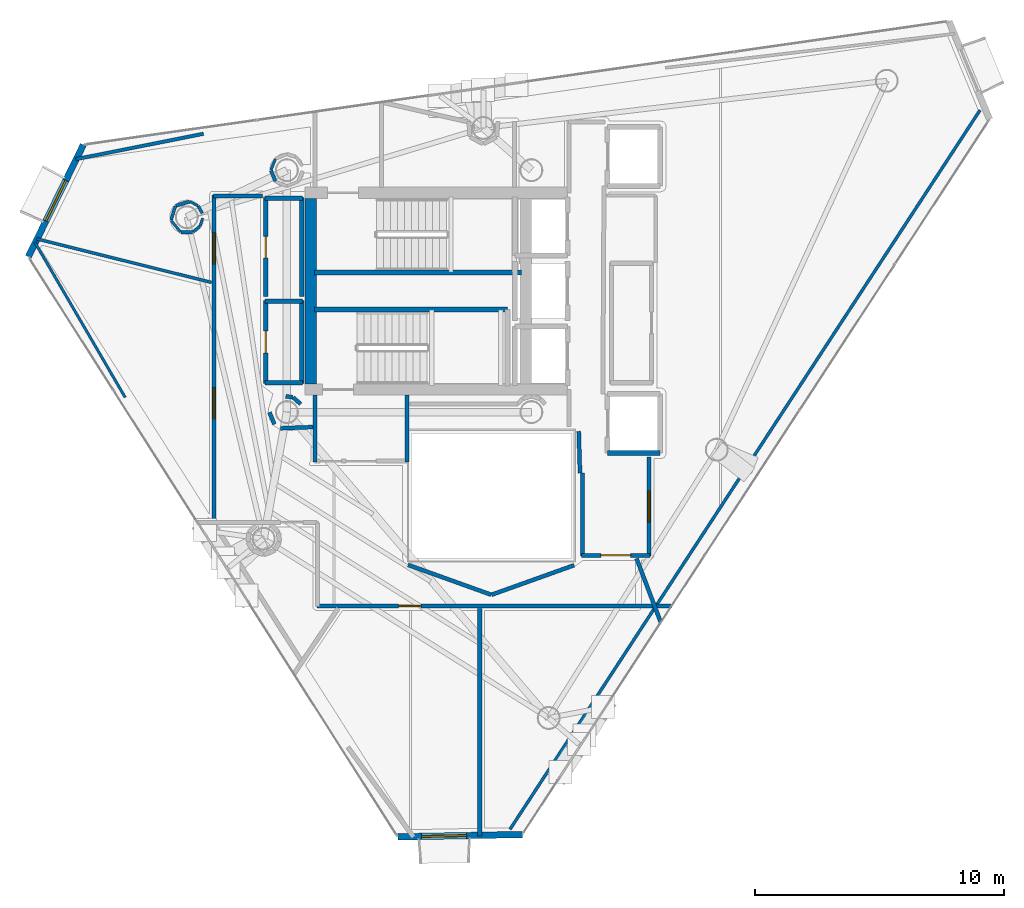
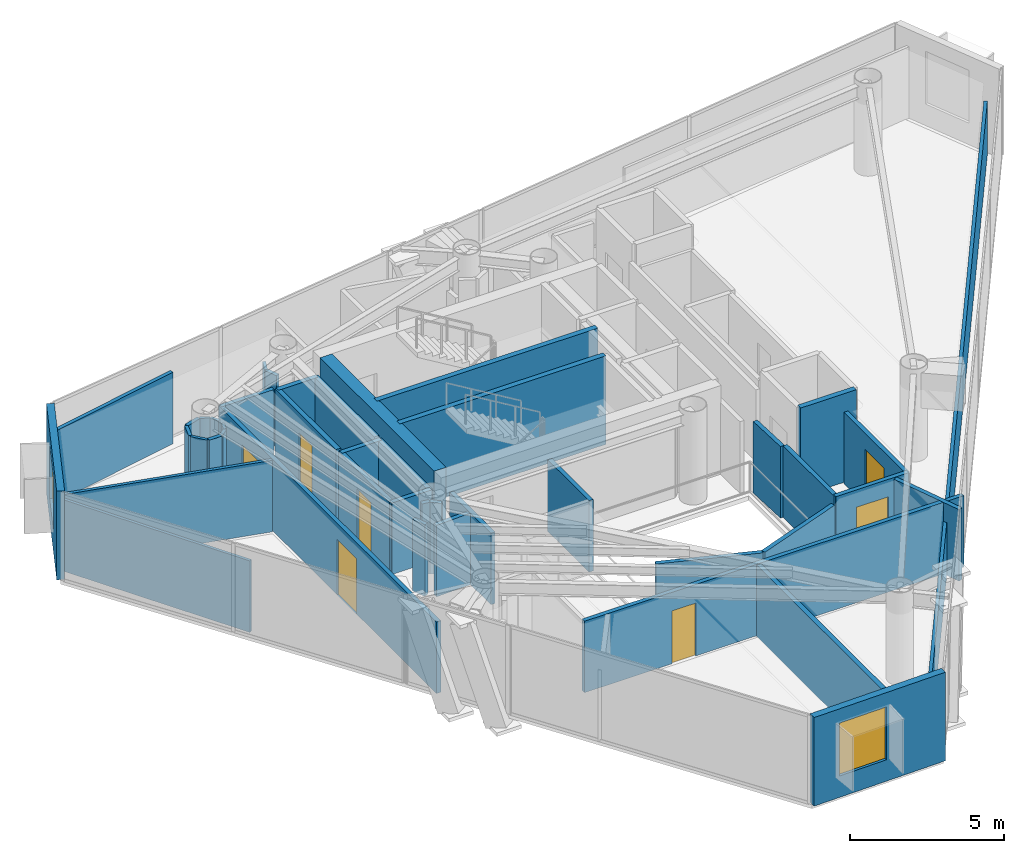
# One storey, part 20 of 25: 44 walls, 7 doors, 2 windows, 9 openings.
"""IFC4 building model written with IfcOpenShell, lengths in metres."""

from ifc_helpers import new_model, si_unit, direction, frame, frame_2d, origin, place, context, subcontext, project, spatial, rectangle, extrude, material, layer, layer_set, type_object, element, fill, save


model = new_model("IFC4")

# Units and contexts
model_context = context("Model", 3, precision=1e-05, world=origin(), true_north=direction((0.0, 1.0)))
body_context = subcontext(model_context, "Body", "Model", "MODEL_VIEW")
ifc_project = project(units=[si_unit("LENGTHUNIT", "METRE"), si_unit("AREAUNIT", "SQUARE_METRE"), si_unit("VOLUMEUNIT", "CUBIC_METRE"), si_unit("PLANEANGLEUNIT", "RADIAN"), si_unit("MASSUNIT", "GRAM", prefix="KILO")], contexts=[model_context])

# Site, building, storey
site_placement = place(None, origin())
site = spatial("IfcSite", under=ifc_project, at=site_placement, CompositionType="ELEMENT")
building_placement = place(site_placement, origin())
building = spatial("IfcBuilding", under=site, at=building_placement, Name="Qianvela Tower", CompositionType="ELEMENT")
storey_placement = place(building_placement, frame((0.0, 0.0, 295.39990234375)))
storey = spatial("IfcBuildingStorey", under=building, at=storey_placement, Name="L76", CompositionType="ELEMENT", Elevation=295.39990234375)

# Wall, opening, window
ifc_material_1 = material(Name="Terracotta Cladding on Concrete C40", Category="masonry")
ifc_layer_1 = layer(ifc_material_1, 0.260009765625)
ifc_layer_set_1 = layer_set([ifc_layer_1], Name="Terracotta Cladding on Concrete C40")
wall_type_1 = type_object("IfcWallType", Name="TERRACOTTA-WALL-260", PredefinedType="SOLIDWALL", material=ifc_layer_set_1)
wall_1_placement = place(storey_placement, frame((20.436279296875, 34.563232421875, 0.0), z_axis=(0.0, 0.0, 1.0), x_axis=(-0.440488239438, -0.897758381145, 0.0)))
wall_1 = element("IfcWall", 1, at=wall_1_placement, inside=storey, type_object=wall_type_1, Name="L76 Terracotta Chamfer Facet Wall 3", PredefinedType="SOLIDWALL", context=body_context, shape_type="SweptSolid", body=[
    extrude(rectangle(XDim=4.989990234375, YDim=0.260009765625, at=frame_2d((2.4951171875, 0.0))), origin(), (0.0, 0.0, 1.0), 3.52001953125),
])
opening_1_placement = place(wall_1_placement, frame((1.594970703125, 0.0, 0.85009765625)))
opening_1 = element("IfcOpeningElement", 2, at=opening_1_placement, cuts=wall_1, Name="Opening W-01", PredefinedType="OPENING", context=body_context, shape_type="SweptSolid", body=[
    extrude(rectangle(XDim=1.800048828125, YDim=2.10009765625, at=frame_2d((0.89990234375, 1.050048828125))), frame((0.0, 0.139892578125, 0.0), z_axis=(0.0, -1.0, 0.0), x_axis=(1.0, 0.0, 0.0)), (0.0, 0.0, 1.0), 0.280029296875),
])
ifc_material_2 = material(Name="Thermally Broken Aluminium and Low-E Glass", Category="aluminium")
window_type = type_object("IfcWindowType", Name="WIN-TC-1800x2100", PartitioningType="DOUBLE_PANEL_VERTICAL", PredefinedType="WINDOW", material=ifc_material_2)
window_1_placement = place(opening_1_placement, origin())
window_1 = element("IfcWindow", 3, at=window_1_placement, inside=storey, type_object=window_type, Name="L76 Chamfer Facet Window 3.1", OverallHeight=2.10009765625, OverallWidth=1.800048828125, PartitioningType="SINGLE_PANEL", PredefinedType="WINDOW", context=body_context, shape_type="SweptSolid", body=[
    extrude(rectangle(XDim=1.800048828125, YDim=2.10009765625, at=frame_2d((0.89990234375, 1.050048828125))), frame((0.0, 0.030029296875, 0.0), z_axis=(0.0, -1.0, 0.0), x_axis=(1.0, 0.0, 0.0)), (0.0, 0.0, 1.0), 0.06005859375),
])
fill(opening_1, window_1)

wall_2_placement = place(storey_placement, frame((33.047119140625, 6.8203125, 0.0), z_axis=(0.0, 0.0, 1.0), x_axis=(0.999816998349, 0.019130337478, 0.0)))
wall_2 = element("IfcWall", 4, at=wall_2_placement, inside=storey, type_object=wall_type_1, Name="L76 Terracotta Chamfer Facet Wall 5", PredefinedType="SOLIDWALL", context=body_context, shape_type="SweptSolid", body=[
    extrude(rectangle(XDim=4.989990234375, YDim=0.260009765625, at=frame_2d((2.4951171875, 0.0))), origin(), (0.0, 0.0, 1.0), 3.52001953125),
])
opening_2_placement = place(wall_2_placement, frame((0.955078125, 0.0, 0.85009765625)))
opening_2 = element("IfcOpeningElement", 5, at=opening_2_placement, cuts=wall_2, Name="Opening W-01", PredefinedType="OPENING", context=body_context, shape_type="SweptSolid", body=[
    extrude(rectangle(XDim=1.800048828125, YDim=2.10009765625, at=frame_2d((0.89990234375, 1.050048828125))), frame((0.0, 0.139892578125, 0.0), z_axis=(0.0, -1.0, 0.0), x_axis=(1.0, 0.0, 0.0)), (0.0, 0.0, 1.0), 0.280029296875),
])
window_2_placement = place(opening_2_placement, origin())
window_2 = element("IfcWindow", 6, at=window_2_placement, inside=storey, type_object=window_type, Name="L76 Chamfer Facet Window 5.1", OverallHeight=2.10009765625, OverallWidth=1.800048828125, PartitioningType="SINGLE_PANEL", PredefinedType="WINDOW", context=body_context, shape_type="SweptSolid", body=[
    extrude(rectangle(XDim=1.800048828125, YDim=2.10009765625, at=frame_2d((0.89990234375, 1.050048828125))), frame((0.0, 0.030029296875, 0.0), z_axis=(0.0, -1.0, 0.0), x_axis=(1.0, 0.0, 0.0)), (0.0, 0.0, 1.0), 0.06005859375),
])
fill(opening_2, window_2)

# Walls
ifc_material_3 = material(Name="Concrete C50", Category="concrete")
ifc_layer_2 = layer(ifc_material_3, 0.449951171875)
ifc_layer_set_2 = layer_set([ifc_layer_2], Name="Concrete C50")
wall_type_2 = type_object("IfcWallType", Name="WT-CORE-450", PredefinedType="SHEAR", material=ifc_layer_set_2)
wall_3_placement = place(storey_placement, frame((29.554931640625, 24.97998046875, 0.0), z_axis=(0.0, 0.0, 1.0), x_axis=(0.0, 1.0, 0.0)))
element("IfcWall", 7, at=wall_3_placement, inside=storey, type_object=wall_type_2, Name="L76 West Core Shear Wall", PredefinedType="SHEAR", context=body_context, shape_type="SweptSolid", body=[
    extrude(rectangle(XDim=7.43994140625, YDim=0.449951171875, at=frame_2d((3.719970703125, 0.0))), origin(), (0.0, 0.0, 1.0), 3.52001953125),
])
ifc_material_4 = material(Name="Fire-Rated Gypsum and Concrete Block", Category="concrete")
ifc_layer_3 = layer(ifc_material_4, 0.159912109375)
ifc_layer_set_3 = layer_set([ifc_layer_3], Name="Fire-Rated Gypsum and Concrete Block")
wall_type_3 = type_object("IfcWallType", Name="WT-CORR-160", PredefinedType="PARTITIONING", material=ifc_layer_set_3)
for number, where, z_axis, x_axis, name in (
    (8, (29.73095703125, 21.85009765625, 0.0), (0.0, 0.0, 1.0), (0.0, 1.0, 0.0), "L76 Partition 6"),
    (9, (33.4189453125, 24.5419921875, 0.0), (0.0, 0.0, 1.0), (0.0, -1.0, 0.0), "L76 Partition 8"),
):
    element("IfcWall", number, at=place(storey_placement, frame(where, z_axis=z_axis, x_axis=x_axis)), inside=storey, type_object=wall_type_3, Name=name, PredefinedType="PARTITIONING", context=body_context, shape_type="SweptSolid", body=[
        extrude(rectangle(XDim=2.69189453125, YDim=0.159912109375, at=frame_2d((1.345947265625, 0.0))), origin(), (0.0, 0.0, 1.0), 2.840087890625),
    ])
wall_4_placement = place(storey_placement, frame((40.35107421875, 21.40087890625, 0.0), z_axis=(0.0, 0.0, 1.0), x_axis=(-0.031058045979, 0.999517582527, 0.0)))
element("IfcWall", 10, at=wall_4_placement, inside=storey, type_object=wall_type_3, Name="L76 Partition 9", PredefinedType="PARTITIONING", context=body_context, shape_type="SweptSolid", body=[
    extrude(rectangle(XDim=1.68212890625, YDim=0.159912109375, at=frame_2d((0.841064453125, 0.0))), origin(), (0.0, 0.0, 1.0), 2.840087890625),
])

# Wall, opening, door
wall_5_placement = place(storey_placement, frame((43.118896484375, 22.050048828125, 0.0), z_axis=(0.0, 0.0, 1.0), x_axis=(0.0, -1.0, 0.0)))
wall_5 = element("IfcWall", 11, at=wall_5_placement, inside=storey, type_object=wall_type_3, Name="L76 Partition 16", PredefinedType="PARTITIONING", context=body_context, shape_type="SweptSolid", body=[
    extrude(rectangle(XDim=3.969970703125, YDim=0.159912109375, at=frame_2d((1.98486328125, 0.0))), origin(), (0.0, 0.0, 1.0), 2.840087890625),
])
opening_3_placement = place(wall_5_placement, frame((1.360107421875, 0.0, 0.0)))
opening_3 = element("IfcOpeningElement", 12, at=opening_3_placement, cuts=wall_5, Name="Opening D-LG1", PredefinedType="OPENING", context=body_context, shape_type="SweptSolid", body=[
    extrude(rectangle(XDim=1.25, YDim=2.199951171875, at=frame_2d((0.625, 1.10009765625))), frame((0.0, 0.08984375, 0.0), z_axis=(0.0, -1.0, 0.0), x_axis=(1.0, 0.0, 0.0)), (0.0, 0.0, 1.0), 0.179931640625),
])
ifc_material_5 = material(Name="Anodised Aluminium Acoustic Glass Door", Category="aluminium")
door_type_1 = type_object("IfcDoorType", Name="DT-LOUNGE-1250", OperationType="NOTDEFINED", PredefinedType="DOOR", material=ifc_material_5)
door_1_placement = place(opening_3_placement, origin())
door_1 = element("IfcDoor", 13, at=door_1_placement, inside=storey, type_object=door_type_1, Name="L76 Door Campus Convenience Shop L76-03 to L76 Lift Lobby", OperationType="SINGLE_SWING_LEFT", OverallHeight=2.199951171875, OverallWidth=1.25, PredefinedType="DOOR", context=body_context, shape_type="SweptSolid", body=[
    extrude(rectangle(XDim=1.25, YDim=2.199951171875, at=frame_2d((0.625, 1.10009765625))), frame((0.0, 0.02490234375, 0.0), z_axis=(0.0, -1.0, 0.0), x_axis=(1.0, 0.0, 0.0)), (0.0, 0.0, 1.0), 0.050048828125),
])
fill(opening_3, door_1)

wall_6_placement = place(storey_placement, frame((43.14990234375, 18.111083984375, 0.0), z_axis=(0.0, 0.0, 1.0), x_axis=(-1.0, 0.0, 0.0)))
wall_6 = element("IfcWall", 14, at=wall_6_placement, inside=storey, type_object=wall_type_3, Name="L76 Partition 17", PredefinedType="PARTITIONING", context=body_context, shape_type="SweptSolid", body=[
    extrude(rectangle(XDim=2.72998046875, YDim=0.159912109375, at=frame_2d((1.364990234375, 0.0))), origin(), (0.0, 0.0, 1.0), 2.840087890625),
])
opening_4_placement = place(wall_6_placement, frame((0.764892578125, 0.0, 0.0)))
opening_4 = element("IfcOpeningElement", 15, at=opening_4_placement, cuts=wall_6, Name="Opening D-LB1", PredefinedType="OPENING", context=body_context, shape_type="SweptSolid", body=[
    extrude(rectangle(XDim=1.199951171875, YDim=2.14990234375, at=frame_2d((0.60009765625, 1.074951171875))), frame((0.0, 0.08984375, 0.0), z_axis=(0.0, -1.0, 0.0), x_axis=(1.0, 0.0, 0.0)), (0.0, 0.0, 1.0), 0.179931640625),
])
ifc_material_6 = material(Name="Glazed Fire-Rated Steel Frame", Category="steel")
door_type_2 = type_object("IfcDoorType", Name="DT-LOBBY-FD90", OperationType="NOTDEFINED", PredefinedType="DOOR", material=ifc_material_6)
door_2_placement = place(opening_4_placement, origin())
door_2 = element("IfcDoor", 16, at=door_2_placement, inside=storey, type_object=door_type_2, Name="L76 Door L76 Lift Lobby to L76 Floor Corridor", OperationType="SINGLE_SWING_LEFT", OverallHeight=2.14990234375, OverallWidth=1.199951171875, PredefinedType="DOOR", context=body_context, shape_type="SweptSolid", body=[
    extrude(rectangle(XDim=1.199951171875, YDim=2.14990234375, at=frame_2d((0.60009765625, 1.074951171875))), frame((0.0, 0.02490234375, 0.0), z_axis=(0.0, -1.0, 0.0), x_axis=(1.0, 0.0, 0.0)), (0.0, 0.0, 1.0), 0.050048828125),
])
fill(opening_4, door_2)

# Walls
wall_7_placement = place(storey_placement, frame((40.450927734375, 18.080078125, 0.0), z_axis=(0.0, 0.0, 1.0), x_axis=(0.0, 1.0, 0.0)))
element("IfcWall", 17, at=wall_7_placement, inside=storey, type_object=wall_type_3, Name="L76 Partition 18 seg 1", PredefinedType="PARTITIONING", context=body_context, shape_type="SweptSolid", body=[
    extrude(rectangle(XDim=3.31982421875, YDim=0.159912109375, at=frame_2d((1.659912109375, 0.0))), origin(), (0.0, 0.0, 1.0), 2.840087890625),
])
wall_8_placement = place(storey_placement, frame((29.148681640625, 24.173095703125, 0.0), z_axis=(0.0, 0.0, 1.0), x_axis=(-0.745225165416, 0.666812906917, 0.0)))
element("IfcWall", 18, at=wall_8_placement, inside=storey, type_object=wall_type_3, Name="L76 Partition 47", PredefinedType="PARTITIONING", context=body_context, shape_type="SweptSolid", body=[
    extrude(rectangle(XDim=0.3955078125, YDim=0.159912109375, at=frame_2d((0.19775390625, 0.0))), origin(), (0.0, 0.0, 1.0), 2.840087890625),
])
wall_9_placement = place(storey_placement, frame((28.837890625, 24.444091796875, 0.0), z_axis=(0.0, 0.0, 1.0), x_axis=(-0.989449148305, 0.144880581578, 0.0)))
element("IfcWall", 19, at=wall_9_placement, inside=storey, type_object=wall_type_3, Name="L76 Partition 48", PredefinedType="PARTITIONING", context=body_context, shape_type="SweptSolid", body=[
    extrude(rectangle(XDim=0.286376953125, YDim=0.159912109375, at=frame_2d((0.14306640625, 0.0))), origin(), (0.0, 0.0, 1.0), 2.840087890625),
])
wall_10_placement = place(storey_placement, frame((27.9013671875, 23.838134765625, 0.0), z_axis=(0.0, 0.0, 1.0), x_axis=(0.382856448334, -0.923807847969, 0.0)))
element("IfcWall", 20, at=wall_10_placement, inside=storey, type_object=wall_type_3, Name="L76 Partition 58", PredefinedType="PARTITIONING", context=body_context, shape_type="SweptSolid", body=[
    extrude(rectangle(XDim=0.5126953125, YDim=0.159912109375, at=frame_2d((0.25634765625, 0.0))), origin(), (0.0, 0.0, 1.0), 2.840087890625),
])
wall_11_placement = place(storey_placement, frame((28.3447265625, 23.199951171875, 0.0), z_axis=(0.0, 0.0, 1.0), x_axis=(0.999216536924, 0.039576664043, 0.0)))
element("IfcWall", 21, at=wall_11_placement, inside=storey, type_object=wall_type_3, Name="L76 Partition 59", PredefinedType="PARTITIONING", context=body_context, shape_type="SweptSolid", body=[
    extrude(rectangle(XDim=1.29541015625, YDim=0.159912109375, at=frame_2d((0.647705078125, 0.0))), origin(), (0.0, 0.0, 1.0), 2.840087890625),
])
wall_12_placement = place(storey_placement, frame((33.45751953125, 17.723876953125, 0.0), z_axis=(0.0, 0.0, 1.0), x_axis=(0.94128854789, -0.337603124408, 0.0)))
element("IfcWall", 22, at=wall_12_placement, inside=storey, type_object=wall_type_3, Name="L76 Partition 62", PredefinedType="PARTITIONING", context=body_context, shape_type="SweptSolid", body=[
    extrude(rectangle(XDim=3.539794921875, YDim=0.159912109375, at=frame_2d((1.77001953125, 0.0))), origin(), (0.0, 0.0, 1.0), 2.840087890625),
])
wall_13_placement = place(storey_placement, frame((36.810302734375, 16.52880859375, 0.0), z_axis=(0.0, 0.0, 1.0), x_axis=(0.941548344365, 0.33687789364, 0.0)))
element("IfcWall", 23, at=wall_13_placement, inside=storey, type_object=wall_type_3, Name="L76 Partition 63", PredefinedType="PARTITIONING", context=body_context, shape_type="SweptSolid", body=[
    extrude(rectangle(XDim=3.5126953125, YDim=0.159912109375, at=frame_2d((1.75634765625, 0.0))), origin(), (0.0, 0.0, 1.0), 2.840087890625),
])
wall_14_placement = place(storey_placement, frame((42.618896484375, 17.97998046875, 0.0), z_axis=(0.0, 0.0, 1.0), x_axis=(0.354310790583, -0.935127725862, 0.0)))
element("IfcWall", 24, at=wall_14_placement, inside=storey, type_object=wall_type_3, Name="L76 Partition 65", PredefinedType="PARTITIONING", context=body_context, shape_type="SweptSolid", body=[
    extrude(rectangle(XDim=2.7431640625, YDim=0.159912109375, at=frame_2d((1.37158203125, 0.0))), origin(), (0.0, 0.0, 1.0), 2.840087890625),
])

# Wall, opening, door
wall_15_placement = place(storey_placement, frame((44.04638671875, 16.0810546875, 0.0), z_axis=(0.0, 0.0, 1.0), x_axis=(-1.0, 0.0, 0.0)))
wall_15 = element("IfcWall", 25, at=wall_15_placement, inside=storey, type_object=wall_type_3, Name="L76 Partition 66", PredefinedType="PARTITIONING", context=body_context, shape_type="SweptSolid", body=[
    extrude(rectangle(XDim=14.246337890625, YDim=0.159912109375, at=frame_2d((7.123046875, 0.0))), origin(), (0.0, 0.0, 1.0), 2.840087890625),
])
opening_5_placement = place(wall_15_placement, frame((10.068603515625, 0.0, 0.0)))
opening_5 = element("IfcOpeningElement", 26, at=opening_5_placement, cuts=wall_15, Name="Opening D-KT1", PredefinedType="OPENING", context=body_context, shape_type="SweptSolid", body=[
    extrude(rectangle(XDim=0.89990234375, YDim=2.10009765625, at=frame_2d((0.449951171875, 1.050048828125))), frame((0.0, 0.08984375, 0.0), z_axis=(0.0, -1.0, 0.0), x_axis=(1.0, 0.0, 0.0)), (0.0, 0.0, 1.0), 0.179931640625),
])
ifc_material_7 = material(Name="Glazed Timber Kitchen Door", Category="wood")
door_type_3 = type_object("IfcDoorType", Name="DT-KITCH-900", OperationType="NOTDEFINED", PredefinedType="DOOR", material=ifc_material_7)
door_3_placement = place(opening_5_placement, origin())
door_3 = element("IfcDoor", 27, at=door_3_placement, inside=storey, type_object=door_type_3, Name="L76 Door Student Tea Pantry L76-02 to L76 Floor Corridor", OperationType="SINGLE_SWING_RIGHT", OverallHeight=2.10009765625, OverallWidth=0.89990234375, PredefinedType="DOOR", context=body_context, shape_type="SweptSolid", body=[
    extrude(rectangle(XDim=0.89990234375, YDim=2.10009765625, at=frame_2d((0.449951171875, 1.050048828125))), frame((0.0, 0.02490234375, 0.0), z_axis=(0.0, -1.0, 0.0), x_axis=(1.0, 0.0, 0.0)), (0.0, 0.0, 1.0), 0.050048828125),
])
fill(opening_5, door_3)

# Wall, openings, doors
wall_16_placement = place(storey_placement, frame((25.680908203125, 18.37158203125, 0.0), z_axis=(0.0, 0.0, 1.0), x_axis=(0.0, 1.0, 0.0)))
wall_16 = element("IfcWall", 28, at=wall_16_placement, inside=storey, type_object=wall_type_3, Name="L76 Partition 69", PredefinedType="PARTITIONING", context=body_context, shape_type="SweptSolid", body=[
    extrude(rectangle(XDim=14.178466796875, YDim=0.159912109375, at=frame_2d((7.08935546875, 0.0))), origin(), (0.0, 0.0, 1.0), 2.840087890625),
])
opening_6_placement = place(wall_16_placement, frame((11.41650390625, 0.0, 0.0)))
opening_6 = element("IfcOpeningElement", 29, at=opening_6_placement, cuts=wall_16, Name="Opening D-LG1", PredefinedType="OPENING", context=body_context, shape_type="SweptSolid", body=[
    extrude(rectangle(XDim=1.25, YDim=2.199951171875, at=frame_2d((0.625, 1.10009765625))), frame((0.0, 0.08984375, 0.0), z_axis=(0.0, -1.0, 0.0), x_axis=(1.0, 0.0, 0.0)), (0.0, 0.0, 1.0), 0.179931640625),
])
opening_7_placement = place(wall_16_placement, frame((5.215087890625, 0.0, 0.0)))
opening_7 = element("IfcOpeningElement", 30, at=opening_7_placement, cuts=wall_16, Name="Opening D-LG1", PredefinedType="OPENING", context=body_context, shape_type="SweptSolid", body=[
    extrude(rectangle(XDim=1.25, YDim=2.199951171875, at=frame_2d((0.625, 1.10009765625))), frame((0.0, 0.08984375, 0.0), z_axis=(0.0, -1.0, 0.0), x_axis=(1.0, 0.0, 0.0)), (0.0, 0.0, 1.0), 0.179931640625),
])
door_4_placement = place(opening_6_placement, origin())
door_4 = element("IfcDoor", 31, at=door_4_placement, inside=storey, type_object=door_type_1, Name="L76 Door Student Bookshop Market L76-04 to L76 Floor Corridor", OperationType="SINGLE_SWING_RIGHT", OverallHeight=2.199951171875, OverallWidth=1.25, PredefinedType="DOOR", context=body_context, shape_type="SweptSolid", body=[
    extrude(rectangle(XDim=1.25, YDim=2.199951171875, at=frame_2d((0.625, 1.10009765625))), frame((0.0, 0.02490234375, 0.0), z_axis=(0.0, -1.0, 0.0), x_axis=(1.0, 0.0, 0.0)), (0.0, 0.0, 1.0), 0.050048828125),
])
fill(opening_6, door_4)
door_5_placement = place(opening_7_placement, origin())
door_5 = element("IfcDoor", 32, at=door_5_placement, inside=storey, type_object=door_type_1, Name="L76 Door Student Wellness Lounge L76-05 to L76 Floor Corridor", OperationType="SINGLE_SWING_LEFT", OverallHeight=2.199951171875, OverallWidth=1.25, PredefinedType="DOOR", context=body_context, shape_type="SweptSolid", body=[
    extrude(rectangle(XDim=1.25, YDim=2.199951171875, at=frame_2d((0.625, 1.10009765625))), frame((0.0, 0.02490234375, 0.0), z_axis=(0.0, -1.0, 0.0), x_axis=(1.0, 0.0, 0.0)), (0.0, 0.0, 1.0), 0.050048828125),
])
fill(opening_7, door_5)

# Walls
wall_17_placement = place(storey_placement, frame((25.64990234375, 32.51904296875, 0.0), z_axis=(0.0, 0.0, 1.0), x_axis=(1.0, 0.0, 0.0)))
element("IfcWall", 33, at=wall_17_placement, inside=storey, type_object=wall_type_3, Name="L76 Partition 70", PredefinedType="PARTITIONING", context=body_context, shape_type="SweptSolid", body=[
    extrude(rectangle(XDim=1.97021484375, YDim=0.159912109375, at=frame_2d((0.985107421875, 0.0))), origin(), (0.0, 0.0, 1.0), 2.840087890625),
])
ifc_material_8 = material(Name="Lightweight Gypsum Room Partition")
ifc_layer_4 = layer(ifc_material_8, 0.10498046875)
ifc_layer_set_4 = layer_set([ifc_layer_4], Name="Lightweight Gypsum Room Partition")
wall_type_4 = type_object("IfcWallType", Name="WT-PART-105", PredefinedType="PARTITIONING", material=ifc_layer_set_4)
wall_18_placement = place(storey_placement, frame((25.032958984375, 32.12158203125, 0.0), z_axis=(0.0, 0.0, 1.0), x_axis=(-0.881817981942, 0.471589913721, 0.0)))
element("IfcWall", 34, at=wall_18_placement, inside=storey, type_object=wall_type_4, Name="L76 Partition 119", PredefinedType="PARTITIONING", context=body_context, shape_type="SweptSolid", body=[
    extrude(rectangle(XDim=0.35400390625, YDim=0.10498046875, at=frame_2d((0.177001953125, 0.0))), origin(), (0.0, 0.0, 1.0), 2.840087890625),
])
wall_19_placement = place(storey_placement, frame((23.96484375, 31.5244140625, 0.0), z_axis=(0.0, 0.0, 1.0), x_axis=(0.634277575631, -0.77310539841, 0.0)))
element("IfcWall", 35, at=wall_19_placement, inside=storey, type_object=wall_type_4, Name="L76 Partition 122", PredefinedType="PARTITIONING", context=body_context, shape_type="SweptSolid", body=[
    extrude(rectangle(XDim=0.574951171875, YDim=0.10498046875, at=frame_2d((0.28759765625, 0.0))), origin(), (0.0, 0.0, 1.0), 2.840087890625),
])
wall_20_placement = place(storey_placement, frame((25.123779296875, 31.314697265625, 0.0), z_axis=(0.0, 0.0, 1.0), x_axis=(0.306761714687, 0.951786347035, 0.0)))
element("IfcWall", 36, at=wall_20_placement, inside=storey, type_object=wall_type_4, Name="L76 Partition 125", PredefinedType="PARTITIONING", context=body_context, shape_type="SweptSolid", body=[
    extrude(rectangle(XDim=0.325439453125, YDim=0.10498046875, at=frame_2d((0.16259765625, 0.0))), origin(), (0.0, 0.0, 1.0), 2.840087890625),
])
wall_21_placement = place(storey_placement, frame((28.139892578125, 33.9931640625, 0.0), z_axis=(0.0, 0.0, 1.0), x_axis=(-0.382459617246, -0.923972208011, 0.0)))
element("IfcWall", 37, at=wall_21_placement, inside=storey, type_object=wall_type_4, Name="L76 Partition 134", PredefinedType="PARTITIONING", context=body_context, shape_type="SweptSolid", body=[
    extrude(rectangle(XDim=0.466552734375, YDim=0.10498046875, at=frame_2d((0.2333984375, 0.0))), origin(), (0.0, 0.0, 1.0), 2.840087890625),
])
wall_22_placement = place(storey_placement, frame((22.11669921875, 24.437744140625, 0.0), z_axis=(0.0, 0.0, 1.0), x_axis=(-0.50301807404, 0.864275891825, 0.0)))
element("IfcWall", 38, at=wall_22_placement, inside=storey, type_object=wall_type_4, Name="L76 Partition 140 seg 2", PredefinedType="PARTITIONING", context=body_context, shape_type="SweptSolid", body=[
    extrude(rectangle(XDim=7.19189453125, YDim=0.10498046875, at=frame_2d((3.595947265625, 0.0))), origin(), (0.0, 0.0, 1.0), 2.840087890625),
])
ifc_material_9 = material(Name="Insulated Gypsum Stud Partition")
ifc_layer_5 = layer(ifc_material_9, 0.1201171875)
ifc_layer_set_5 = layer_set([ifc_layer_5], Name="Insulated Gypsum Stud Partition")
wall_type_5 = type_object("IfcWallType", Name="WT-PART-120", PredefinedType="PARTITIONING", material=ifc_layer_set_5)
wall_23_placement = place(storey_placement, frame((56.38671875, 35.954833984375, 0.0), z_axis=(0.0, 0.0, 1.0), x_axis=(-0.547085490545, -0.837076738439, 0.0)))
element("IfcWall", 39, at=wall_23_placement, inside=storey, type_object=wall_type_5, Name="L76 Partition 112", PredefinedType="PARTITIONING", context=body_context, shape_type="SweptSolid", body=[
    extrude(rectangle(XDim=34.442626953125, YDim=0.1201171875, at=frame_2d((17.22119140625, 0.0))), origin(), (0.0, 0.0, 1.0), 2.09521484375),
])
wall_24_placement = place(storey_placement, frame((25.20263671875, 31.8291015625, 0.0), z_axis=(0.0, 0.0, 1.0), x_axis=(-0.488926990846, 0.872324708823, 0.0)))
element("IfcWall", 40, at=wall_24_placement, inside=storey, type_object=wall_type_5, Name="L76 Partition 118", PredefinedType="PARTITIONING", context=body_context, shape_type="SweptSolid", body=[
    extrude(rectangle(XDim=0.321533203125, YDim=0.1201171875, at=frame_2d((0.16064453125, 0.0))), origin(), (0.0, 0.0, 1.0), 2.840087890625),
])
wall_25_placement = place(storey_placement, frame((24.1259765625, 32.103271484375, 0.0), z_axis=(0.0, 0.0, 1.0), x_axis=(-0.290384423064, -0.956910072495, 0.0)))
element("IfcWall", 41, at=wall_25_placement, inside=storey, type_object=wall_type_5, Name="L76 Partition 121", PredefinedType="PARTITIONING", context=body_context, shape_type="SweptSolid", body=[
    extrude(rectangle(XDim=0.574951171875, YDim=0.1201171875, at=frame_2d((0.28759765625, 0.0))), origin(), (0.0, 0.0, 1.0), 2.840087890625),
])
wall_26_placement = place(storey_placement, frame((24.840087890625, 31.075439453125, 0.0), z_axis=(0.0, 0.0, 1.0), x_axis=(0.773281307259, 0.634063103992, 0.0)))
element("IfcWall", 42, at=wall_26_placement, inside=storey, type_object=wall_type_5, Name="L76 Partition 124", PredefinedType="PARTITIONING", context=body_context, shape_type="SweptSolid", body=[
    extrude(rectangle(XDim=0.354248046875, YDim=0.1201171875, at=frame_2d((0.17724609375, 0.0))), origin(), (0.0, 0.0, 1.0), 2.840087890625),
])
wall_27_placement = place(storey_placement, frame((25.577392578125, 29.0478515625, 0.0), z_axis=(0.0, 0.0, 1.0), x_axis=(-0.970297325038, 0.241915483226, 0.0)))
element("IfcWall", 43, at=wall_27_placement, inside=storey, type_object=wall_type_5, Name="L76 Partition 127", PredefinedType="PARTITIONING", context=body_context, shape_type="SweptSolid", body=[
    extrude(rectangle(XDim=7.225830078125, YDim=0.1201171875, at=frame_2d((3.61279296875, 0.0))), origin(), (0.0, 0.0, 1.0), 2.840087890625),
])

# Wall, opening, door
ifc_material_10 = material(Name="Moisture-Resistant Acoustic Plumbing Wall")
ifc_layer_6 = layer(ifc_material_10, 0.175048828125)
ifc_layer_set_6 = layer_set([ifc_layer_6], Name="Moisture-Resistant Acoustic Plumbing Wall")
wall_type_6 = type_object("IfcWallType", Name="WT-PLUMB-175", PredefinedType="PLUMBINGWALL", material=ifc_layer_set_6)
wall_28_placement = place(storey_placement, frame((27.7509765625, 25.0, 0.0), z_axis=(0.0, 0.0, 1.0), x_axis=(0.0, 1.0, 0.0)))
wall_28 = element("IfcWall", 44, at=wall_28_placement, inside=storey, type_object=wall_type_6, Name="L76 Partition 23", PredefinedType="PLUMBINGWALL", context=body_context, shape_type="SweptSolid", body=[
    extrude(rectangle(XDim=3.320068359375, YDim=0.175048828125, at=frame_2d((1.66015625, 0.0))), origin(), (0.0, 0.0, 1.0), 2.840087890625),
])
opening_8_placement = place(wall_28_placement, frame((1.2099609375, 0.0, 0.0)))
opening_8 = element("IfcOpeningElement", 45, at=opening_8_placement, cuts=wall_28, Name="Opening D-KT1", PredefinedType="OPENING", context=body_context, shape_type="SweptSolid", body=[
    extrude(rectangle(XDim=0.89990234375, YDim=2.10009765625, at=frame_2d((0.449951171875, 1.050048828125))), frame((0.0, 0.097412109375, 0.0), z_axis=(0.0, -1.0, 0.0), x_axis=(1.0, 0.0, 0.0)), (0.0, 0.0, 1.0), 0.195068359375),
])
door_6_placement = place(opening_8_placement, origin())
door_6 = element("IfcDoor", 46, at=door_6_placement, inside=storey, type_object=door_type_3, Name="L76 Door L76 Core Tea Pantry West to L76 Floor Corridor", OperationType="SINGLE_SWING_RIGHT", OverallHeight=2.10009765625, OverallWidth=0.89990234375, PredefinedType="DOOR", context=body_context, shape_type="SweptSolid", body=[
    extrude(rectangle(XDim=0.89990234375, YDim=2.10009765625, at=frame_2d((0.449951171875, 1.050048828125))), frame((0.0, 0.02490234375, 0.0), z_axis=(0.0, -1.0, 0.0), x_axis=(1.0, 0.0, 0.0)), (0.0, 0.0, 1.0), 0.050048828125),
])
fill(opening_8, door_6)

# Walls
wall_29_placement = place(storey_placement, frame((27.719970703125, 28.2890625, 0.0), z_axis=(0.0, 0.0, 1.0), x_axis=(1.0, 0.0, 0.0)))
element("IfcWall", 47, at=wall_29_placement, inside=storey, type_object=wall_type_6, Name="L76 Partition 24", PredefinedType="PLUMBINGWALL", context=body_context, shape_type="SweptSolid", body=[
    extrude(rectangle(XDim=1.5, YDim=0.175048828125, at=frame_2d((0.75, 0.0))), origin(), (0.0, 0.0, 1.0), 2.840087890625),
])
wall_30_placement = place(storey_placement, frame((29.18896484375, 28.320068359375, 0.0), z_axis=(0.0, 0.0, 1.0), x_axis=(0.0, -1.0, 0.0)))
element("IfcWall", 48, at=wall_30_placement, inside=storey, type_object=wall_type_6, Name="L76 Partition 25", PredefinedType="PLUMBINGWALL", context=body_context, shape_type="SweptSolid", body=[
    extrude(rectangle(XDim=3.320068359375, YDim=0.175048828125, at=frame_2d((1.66015625, 0.0))), origin(), (0.0, 0.0, 1.0), 2.840087890625),
])
wall_31_placement = place(storey_placement, frame((29.219970703125, 25.031005859375, 0.0), z_axis=(0.0, 0.0, 1.0), x_axis=(-1.0, 0.0, 0.0)))
element("IfcWall", 49, at=wall_31_placement, inside=storey, type_object=wall_type_6, Name="L76 Partition 26", PredefinedType="PLUMBINGWALL", context=body_context, shape_type="SweptSolid", body=[
    extrude(rectangle(XDim=1.5, YDim=0.175048828125, at=frame_2d((0.75, 0.0))), origin(), (0.0, 0.0, 1.0), 2.840087890625),
])

# Wall, opening, door
wall_32_placement = place(storey_placement, frame((27.7509765625, 28.47998046875, 0.0), z_axis=(0.0, 0.0, 1.0), x_axis=(0.0, 1.0, 0.0)))
wall_32 = element("IfcWall", 50, at=wall_32_placement, inside=storey, type_object=wall_type_6, Name="L76 Partition 27", PredefinedType="PLUMBINGWALL", context=body_context, shape_type="SweptSolid", body=[
    extrude(rectangle(XDim=3.969970703125, YDim=0.175048828125, at=frame_2d((1.98486328125, 0.0))), origin(), (0.0, 0.0, 1.0), 2.840087890625),
])
opening_9_placement = place(wall_32_placement, frame((1.554931640625, 0.0, 0.0)))
opening_9 = element("IfcOpeningElement", 51, at=opening_9_placement, cuts=wall_32, Name="Opening D-WC1", PredefinedType="OPENING", context=body_context, shape_type="SweptSolid", body=[
    extrude(rectangle(XDim=0.860107421875, YDim=2.050048828125, at=frame_2d((0.43017578125, 1.02490234375))), frame((0.0, 0.097412109375, 0.0), z_axis=(0.0, -1.0, 0.0), x_axis=(1.0, 0.0, 0.0)), (0.0, 0.0, 1.0), 0.195068359375),
])
ifc_material_11 = material(Name="Moisture-Sealed Acoustic Timber Door", Category="wood")
door_type_4 = type_object("IfcDoorType", Name="DT-WC-860", OperationType="NOTDEFINED", PredefinedType="DOOR", material=ifc_material_11)
door_7_placement = place(opening_9_placement, origin())
door_7 = element("IfcDoor", 52, at=door_7_placement, inside=storey, type_object=door_type_4, Name="L76 Door L76 Accessible WC to L76 Floor Corridor", OperationType="SINGLE_SWING_LEFT", OverallHeight=2.050048828125, OverallWidth=0.860107421875, PredefinedType="DOOR", context=body_context, shape_type="SweptSolid", body=[
    extrude(rectangle(XDim=0.860107421875, YDim=2.050048828125, at=frame_2d((0.43017578125, 1.02490234375))), frame((0.0, 0.02490234375, 0.0), z_axis=(0.0, -1.0, 0.0), x_axis=(1.0, 0.0, 0.0)), (0.0, 0.0, 1.0), 0.050048828125),
])
fill(opening_9, door_7)

# Walls
wall_33_placement = place(storey_placement, frame((27.719970703125, 32.4189453125, 0.0), z_axis=(0.0, 0.0, 1.0), x_axis=(1.0, 0.0, 0.0)))
element("IfcWall", 53, at=wall_33_placement, inside=storey, type_object=wall_type_6, Name="L76 Partition 28", PredefinedType="PLUMBINGWALL", context=body_context, shape_type="SweptSolid", body=[
    extrude(rectangle(XDim=1.5, YDim=0.175048828125, at=frame_2d((0.75, 0.0))), origin(), (0.0, 0.0, 1.0), 2.840087890625),
])
wall_34_placement = place(storey_placement, frame((29.18896484375, 32.449951171875, 0.0), z_axis=(0.0, 0.0, 1.0), x_axis=(0.0, -1.0, 0.0)))
element("IfcWall", 54, at=wall_34_placement, inside=storey, type_object=wall_type_6, Name="L76 Partition 29", PredefinedType="PLUMBINGWALL", context=body_context, shape_type="SweptSolid", body=[
    extrude(rectangle(XDim=3.969970703125, YDim=0.175048828125, at=frame_2d((1.98486328125, 0.0))), origin(), (0.0, 0.0, 1.0), 2.840087890625),
])
wall_35_placement = place(storey_placement, frame((36.327880859375, 15.972900390625, 0.0), z_axis=(0.0, 0.0, 1.0), x_axis=(0.0, -1.0, 0.0)))
element("IfcWall", 55, at=wall_35_placement, inside=storey, type_object=wall_type_6, Name="L76 Partition 87", PredefinedType="PLUMBINGWALL", context=body_context, shape_type="SweptSolid", body=[
    extrude(rectangle(XDim=9.10986328125, YDim=0.175048828125, at=frame_2d((4.554931640625, 0.0))), origin(), (0.0, 0.0, 1.0), 2.840087890625),
])
ifc_material_12 = material(Name="Acoustic Double Gypsum Stud Partition")
ifc_layer_7 = layer(ifc_material_12, 0.139892578125)
ifc_layer_set_7 = layer_set([ifc_layer_7], Name="Acoustic Double Gypsum Stud Partition")
wall_type_7 = type_object("IfcWallType", Name="WT-ROOM-140", PredefinedType="PARTITIONING", material=ifc_layer_set_7)
wall_36_placement = place(storey_placement, frame((24.697021484375, 32.291015625, 0.0), z_axis=(0.0, 0.0, 1.0), x_axis=(-0.956910072495, -0.290384423064, 0.0)))
element("IfcWall", 56, at=wall_36_placement, inside=storey, type_object=wall_type_7, Name="L76 Partition 120", PredefinedType="PARTITIONING", context=body_context, shape_type="SweptSolid", body=[
    extrude(rectangle(XDim=0.574951171875, YDim=0.139892578125, at=frame_2d((0.28759765625, 0.0))), origin(), (0.0, 0.0, 1.0), 2.840087890625),
])
wall_37_placement = place(storey_placement, frame((24.353515625, 31.068359375, 0.0), z_axis=(0.0, 0.0, 1.0), x_axis=(1.0, 0.0, 0.0)))
element("IfcWall", 57, at=wall_37_placement, inside=storey, type_object=wall_type_7, Name="L76 Partition 123", PredefinedType="PARTITIONING", context=body_context, shape_type="SweptSolid", body=[
    extrude(rectangle(XDim=0.466796875, YDim=0.139892578125, at=frame_2d((0.2333984375, 0.0))), origin(), (0.0, 0.0, 1.0), 2.840087890625),
])
wall_38_placement = place(storey_placement, frame((20.13623046875, 33.989013671875, 0.0), z_axis=(0.0, 0.0, 1.0), x_axis=(0.980720741486, 0.195414501046, 0.0)))
element("IfcWall", 58, at=wall_38_placement, inside=storey, type_object=wall_type_7, Name="L76 Partition 129 seg 1", PredefinedType="PARTITIONING", context=body_context, shape_type="SweptSolid", body=[
    extrude(rectangle(XDim=5.2197265625, YDim=0.139892578125, at=frame_2d((2.60986328125, 0.0))), origin(), (0.0, 0.0, 1.0), 2.840087890625),
])
wall_39_placement = place(storey_placement, frame((27.96142578125, 33.5380859375, 0.0), z_axis=(0.0, 0.0, 1.0), x_axis=(0.382274809242, -0.924048683901, 0.0)))
element("IfcWall", 59, at=wall_39_placement, inside=storey, type_object=wall_type_7, Name="L76 Partition 135", PredefinedType="PARTITIONING", context=body_context, shape_type="SweptSolid", body=[
    extrude(rectangle(XDim=0.466796875, YDim=0.139892578125, at=frame_2d((0.2333984375, 0.0))), origin(), (0.0, 0.0, 1.0), 2.840087890625),
])
ifc_material_13 = material(Name="Concrete C50", Category="concrete")
ifc_layer_8 = layer(ifc_material_13, 0.199951171875)
ifc_layer_set_8 = layer_set([ifc_layer_8], Name="Concrete C50")
wall_type_8 = type_object("IfcWallType", Name="WT-SHAFT-200", PredefinedType="SOLIDWALL", material=ifc_layer_set_8)
wall_40_placement = place(storey_placement, frame((29.699951171875, 29.449951171875, 0.0), z_axis=(0.0, 0.0, 1.0), x_axis=(1.0, 0.0, 0.0)))
element("IfcWall", 60, at=wall_40_placement, inside=storey, type_object=wall_type_8, Name="L76 Stair ST-1 South Wall", PredefinedType="SOLIDWALL", context=body_context, shape_type="SweptSolid", body=[
    extrude(rectangle(XDim=8.300048828125, YDim=0.199951171875, at=frame_2d((4.14990234375, 0.0))), origin(), (0.0, 0.0, 1.0), 3.52001953125),
])
wall_41_placement = place(storey_placement, frame((29.699951171875, 27.9599609375, 0.0), z_axis=(0.0, 0.0, 1.0), x_axis=(1.0, 0.0, 0.0)))
element("IfcWall", 61, at=wall_41_placement, inside=storey, type_object=wall_type_8, Name="L76 Stair ST-2 North Wall", PredefinedType="SOLIDWALL", context=body_context, shape_type="SweptSolid", body=[
    extrude(rectangle(XDim=7.75, YDim=0.199951171875, at=frame_2d((3.875, 0.0))), origin(), (0.0, 0.0, 1.0), 3.52001953125),
])
wall_42_placement = place(storey_placement, frame((41.449951171875, 22.219970703125, 0.0), z_axis=(0.0, 0.0, 1.0), x_axis=(1.0, 0.0, 0.0)))
element("IfcWall", 62, at=wall_42_placement, inside=storey, type_object=wall_type_8, Name="L76 Lift PL-H2 S Shaft Wall", PredefinedType="SOLIDWALL", context=body_context, shape_type="SweptSolid", body=[
    extrude(rectangle(XDim=2.10009765625, YDim=0.199951171875, at=frame_2d((1.050048828125, 0.0))), origin(), (0.0, 0.0, 1.0), 3.52001953125),
])

save(model, "model.ifc")
